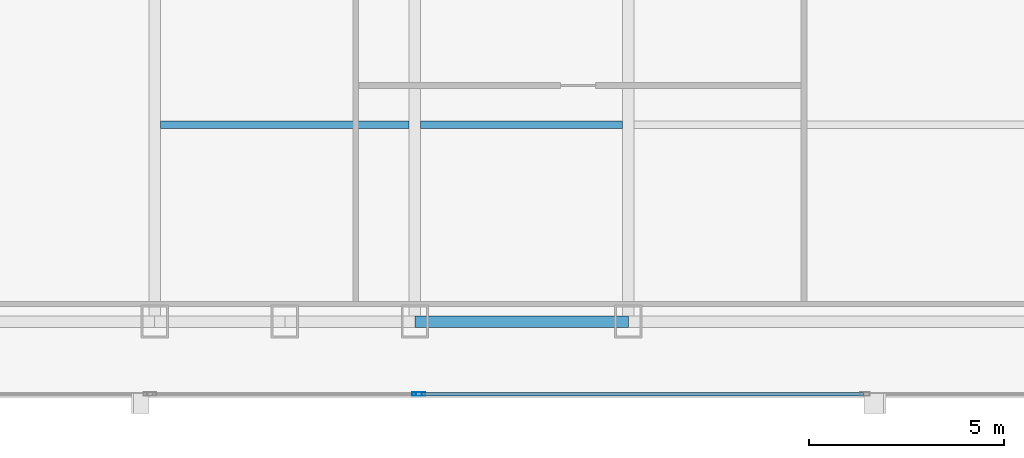
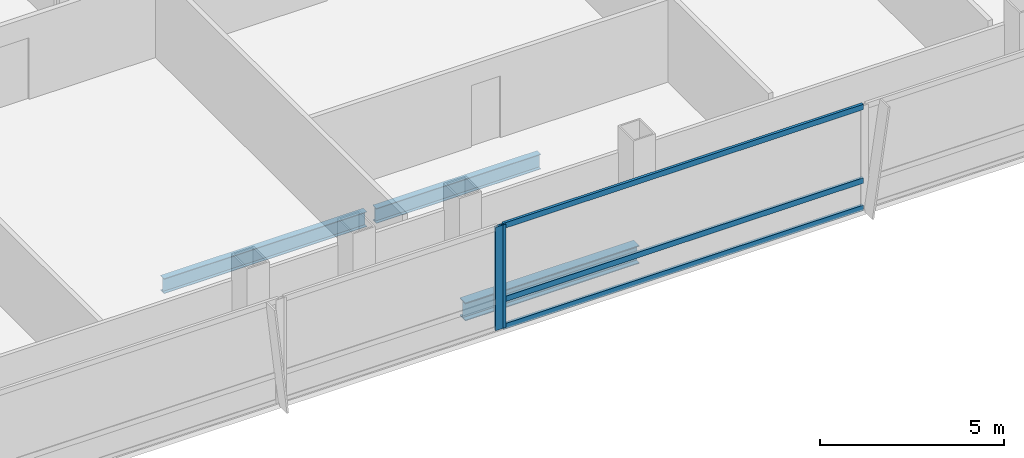
# One storey, part 8 of 29: 5 members, 3 beams, 2 elements without a shape of their own.
"""IFC4 building model written with IfcOpenShell, lengths in metres."""

from ifc_helpers import new_model, si_unit, direction, frame, origin, origin_2d, place, context, subcontext, project, spatial, hollow_rectangle, i_section, extrude, material, material_profile, profile_set, type_object, element, aggregate, save


model = new_model("IFC4")

# Units and contexts
model_context = context("Model", 3, precision=1e-05, world=origin(), true_north=direction((0.0, 1.0)))
body_context = subcontext(model_context, "Body", "Model", "MODEL_VIEW")
ifc_project = project(units=[si_unit("LENGTHUNIT", "METRE"), si_unit("AREAUNIT", "SQUARE_METRE"), si_unit("VOLUMEUNIT", "CUBIC_METRE"), si_unit("PLANEANGLEUNIT", "RADIAN"), si_unit("MASSUNIT", "GRAM", prefix="KILO")], contexts=[model_context])

# Site, building, storey
site_placement = place(None, origin())
site = spatial("IfcSite", under=ifc_project, at=site_placement, CompositionType="ELEMENT")
building_placement = place(site_placement, origin())
building = spatial("IfcBuilding", under=site, at=building_placement, Name="Khoronbel Lancet Exchange", CompositionType="ELEMENT")
storey_placement = place(building_placement, frame((0.0, 0.0, 139.800048828125)))
storey = spatial("IfcBuildingStorey", under=building, at=storey_placement, Name="L34", CompositionType="ELEMENT", Elevation=139.800048828125)

# Beams
ifc_material_1 = material(Name="Steel S355", Category="steel")
ifc_material_profile_1 = material_profile(ifc_material_1, i_section(OverallWidth=0.199951171875, OverallDepth=0.5, WebThickness=0.01025390625, FlangeThickness=0.01611328125, at=origin_2d()), Name="IPE 500")
ifc_profile_set_1 = profile_set([ifc_material_profile_1], Name="Steel S355")
beam_type_1 = type_object("IfcBeamType", Name="BM-BJ3", PredefinedType="JOIST", material=ifc_profile_set_1)
beam_1_placement = place(storey_placement, frame((18.375, 15.199951171875, -0.41015625), z_axis=(1.0, 0.0, 0.0), x_axis=(0.0, 1.0, 0.0)))
element("IfcBeam", 1, at=beam_1_placement, inside=storey, type_object=beam_type_1, Name="Level L34 secondary composite joist J01", PredefinedType="JOIST", context=body_context, shape_type="SweptSolid", body=[
    extrude(i_section(OverallWidth=0.199951171875, OverallDepth=0.5, WebThickness=0.01025390625, FlangeThickness=0.01611328125, at=origin_2d()), origin(), (0.0, 0.0, 1.0), 6.375),
])
beam_2_placement = place(storey_placement, frame((25.050048828125, 15.199951171875, -0.41015625), z_axis=(1.0, 0.0, 0.0), x_axis=(0.0, 1.0, 0.0)))
element("IfcBeam", 2, at=beam_2_placement, inside=storey, type_object=beam_type_1, Name="Level L34 secondary composite joist J02", PredefinedType="JOIST", context=body_context, shape_type="SweptSolid", body=[
    extrude(i_section(OverallWidth=0.199951171875, OverallDepth=0.5, WebThickness=0.01025390625, FlangeThickness=0.01611328125, at=origin_2d()), origin(), (0.0, 0.0, 1.0), 5.175048828125),
])
ifc_material_profile_2 = material_profile(ifc_material_1, i_section(OverallWidth=0.300048828125, OverallDepth=0.60009765625, WebThickness=0.015380859375, FlangeThickness=0.030029296875, at=origin_2d()), Name="HEB 600")
ifc_profile_set_2 = profile_set([ifc_material_profile_2], Name="Steel S355")
beam_type_2 = type_object("IfcBeamType", Name="BM-BSP2", PredefinedType="SPANDREL", material=ifc_profile_set_2)
beam_3_placement = place(storey_placement, frame((24.89990234375, 10.14990234375, -0.4599609375), z_axis=(1.0, 0.0, 0.0), x_axis=(0.0, 1.0, 0.0)))
element("IfcBeam", 3, at=beam_3_placement, inside=storey, type_object=beam_type_2, Name="Level L34 perimeter spandrel beam SP04", PredefinedType="SPANDREL", context=body_context, shape_type="SweptSolid", body=[
    extrude(i_section(OverallWidth=0.300048828125, OverallDepth=0.60009765625, WebThickness=0.015380859375, FlangeThickness=0.030029296875, at=origin_2d()), origin(), (0.0, 0.0, 1.0), 5.47509765625),
])

# Curtain wall, member
ifc_material_2 = material(Name="Low-E Solar Control Insulating Glass", Category="glass")
curtain_wall_type = type_object("IfcCurtainWallType", Name="CW-3", PredefinedType="NOTDEFINED", material=ifc_material_2)
curtain_wall_1_placement = place(storey_placement, origin())
curtain_wall_1 = element("IfcCurtainWall", 4, at=curtain_wall_1_placement, inside=storey, type_object=curtain_wall_type, Name="Unitised curtain wall CW-L34-SWB", PredefinedType="NOTDEFINED")
ifc_material_3 = material(Name="Bronze-Anodised Aluminium 6063-T6", Category="aluminium")
ifc_material_profile_3 = material_profile(ifc_material_3, hollow_rectangle(XDim=0.0849609375, YDim=0.239990234375, WallThickness=0.006103515625, at=origin_2d()), Name="ALU MULLION 85x240")
ifc_profile_set_3 = profile_set([ifc_material_profile_3], Name="Bronze-Anodised Aluminium 6063-T6")
member_type_1 = type_object("IfcMemberType", Name="MEM-CWM1", PredefinedType="MULLION", material=ifc_profile_set_3)
member_1_placement = place(storey_placement, frame((24.95751953125, 8.2900390625, 0.0), z_axis=(0.0, 0.0, 1.0), x_axis=(0.0, 1.0, 0.0)))
member_1 = element("IfcMember", 5, at=member_1_placement, type_object=member_type_1, Name="CW3 mullion 2", PredefinedType="MULLION", context=body_context, shape_type="SweptSolid", body=[
    extrude(hollow_rectangle(XDim=0.0849609375, YDim=0.239990234375, WallThickness=0.006103515625, at=origin_2d()), origin(), (0.0, 0.0, 1.0), 3.43994140625),
])
aggregate(curtain_wall_1, [member_1])

# Curtain wall, members
curtain_wall_2_placement = place(storey_placement, origin())
curtain_wall_2 = element("IfcCurtainWall", 6, at=curtain_wall_2_placement, inside=storey, type_object=curtain_wall_type, Name="Unitised curtain wall CW-L34-SCV", PredefinedType="NOTDEFINED")
member_2_placement = place(storey_placement, frame((25.04248046875, 8.2900390625, 0.0), z_axis=(0.0, 0.0, 1.0), x_axis=(0.0, 1.0, 0.0)))
member_2 = element("IfcMember", 7, at=member_2_placement, type_object=member_type_1, Name="CW3 mullion 1", PredefinedType="MULLION", context=body_context, shape_type="SweptSolid", body=[
    extrude(hollow_rectangle(XDim=0.0849609375, YDim=0.239990234375, WallThickness=0.006103515625, at=origin_2d()), origin(), (0.0, 0.0, 1.0), 3.43994140625),
])
ifc_material_profile_4 = material_profile(ifc_material_3, hollow_rectangle(XDim=0.0849609375, YDim=0.179931640625, WallThickness=0.0048828125, at=origin_2d()), Name="ALU TRANSOM 85x180")
ifc_profile_set_4 = profile_set([ifc_material_profile_4], Name="Bronze-Anodised Aluminium 6063-T6")
member_type_2 = type_object("IfcMemberType", Name="MEM-CWT1", PredefinedType="USERDEFINED", material=ifc_profile_set_4)
member_3_placement = place(storey_placement, frame((25.0849609375, 8.2900390625, 0.04248046875), z_axis=(1.0, 0.0, 0.0), x_axis=(0.0, 1.0, 0.0)))
member_3 = element("IfcMember", 8, at=member_3_placement, type_object=member_type_2, Name="CW3 transom 1.1", ObjectType="TRANSOM", PredefinedType="USERDEFINED", context=body_context, shape_type="SweptSolid", body=[
    extrude(hollow_rectangle(XDim=0.0849609375, YDim=0.179931640625, WallThickness=0.0048828125, at=origin_2d()), origin(), (0.0, 0.0, 1.0), 11.322509765625),
])
member_4_placement = place(storey_placement, frame((25.0849609375, 8.2900390625, 0.949951171875), z_axis=(1.0, 0.0, 0.0), x_axis=(0.0, 1.0, 0.0)))
member_4 = element("IfcMember", 9, at=member_4_placement, type_object=member_type_2, Name="CW3 transom 1.2", ObjectType="TRANSOM", PredefinedType="USERDEFINED", context=body_context, shape_type="SweptSolid", body=[
    extrude(hollow_rectangle(XDim=0.0849609375, YDim=0.179931640625, WallThickness=0.0048828125, at=origin_2d()), origin(), (0.0, 0.0, 1.0), 11.322509765625),
])
member_5_placement = place(storey_placement, frame((25.0849609375, 8.2900390625, 3.3974609375), z_axis=(1.0, 0.0, 0.0), x_axis=(0.0, 1.0, 0.0)))
member_5 = element("IfcMember", 10, at=member_5_placement, type_object=member_type_2, Name="CW3 transom 1.3", ObjectType="TRANSOM", PredefinedType="USERDEFINED", context=body_context, shape_type="SweptSolid", body=[
    extrude(hollow_rectangle(XDim=0.0849609375, YDim=0.179931640625, WallThickness=0.0048828125, at=origin_2d()), origin(), (0.0, 0.0, 1.0), 11.322509765625),
])
aggregate(curtain_wall_2, [member_2, member_3, member_4, member_5])

save(model, "model.ifc")
